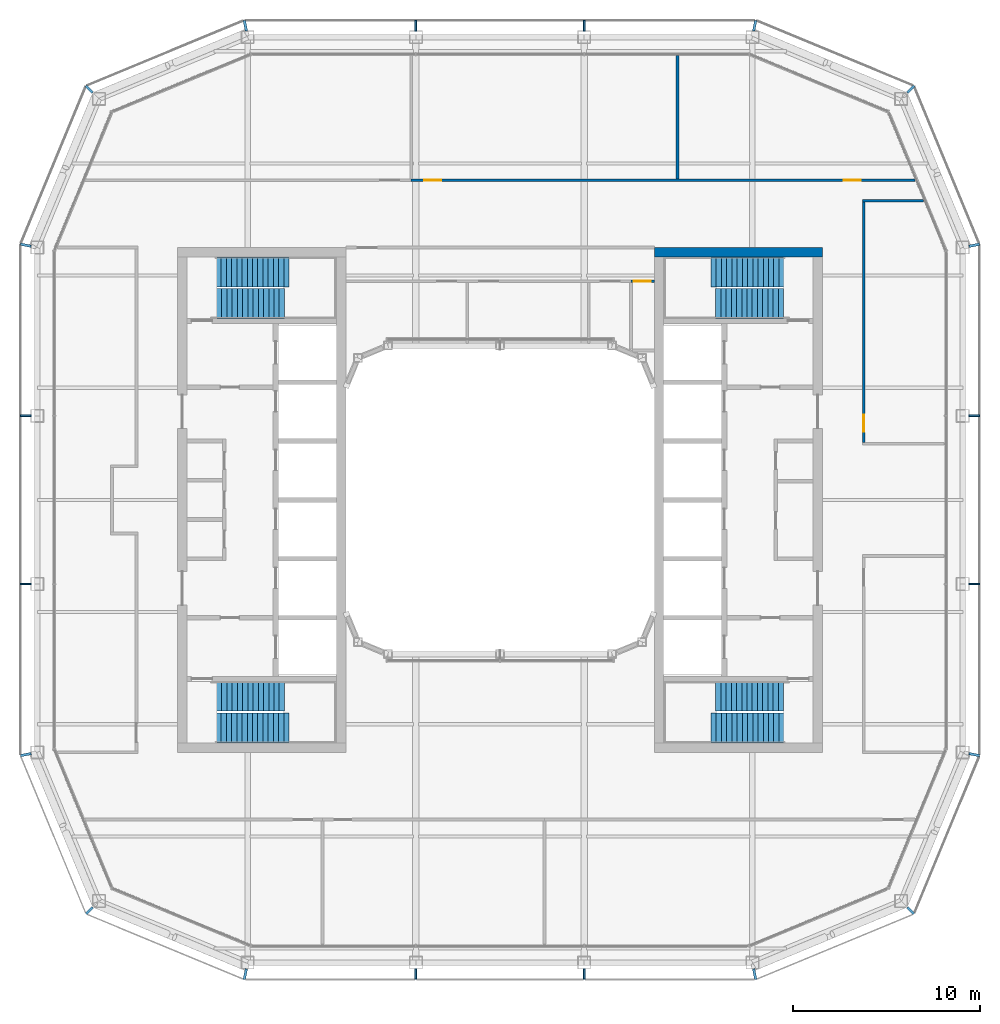
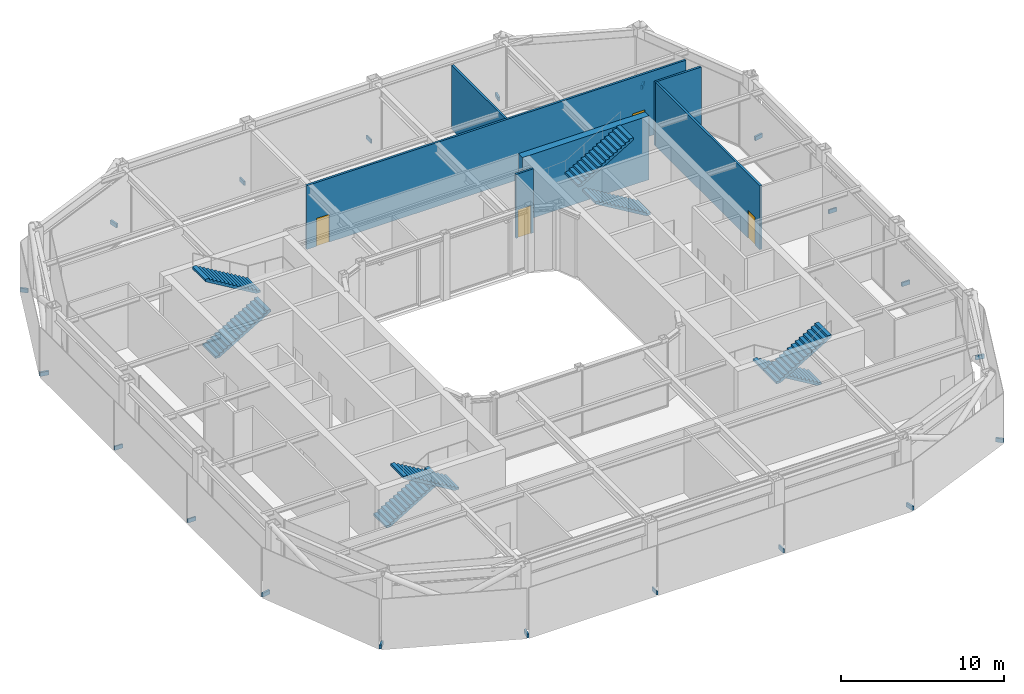
# One storey, part 13 of 17: 20 discrete accessories, 8 stair flights, 6 walls, 4 doors, 4 openings, 4 elements without a shape of their own.
"""IFC4 building model written with IfcOpenShell, lengths in metres."""

from ifc_helpers import new_model, si_unit, direction, frame, frame_2d, origin, origin_2d, place, context, subcontext, project, spatial, polyline, rectangle, outline, extrude, material, layer, layer_set, type_object, element, fill, aggregate, save


model = new_model("IFC4")

# Units and contexts
model_context = context("Model", 3, precision=1e-05, world=origin(), true_north=direction((0.0, 1.0)))
body_context = subcontext(model_context, "Body", "Model", "MODEL_VIEW")
ifc_project = project(units=[si_unit("LENGTHUNIT", "METRE"), si_unit("AREAUNIT", "SQUARE_METRE"), si_unit("VOLUMEUNIT", "CUBIC_METRE"), si_unit("PLANEANGLEUNIT", "RADIAN"), si_unit("MASSUNIT", "GRAM", prefix="KILO")], contexts=[model_context])

# Site, building, storey
site_placement = place(None, origin())
site = spatial("IfcSite", under=ifc_project, at=site_placement, CompositionType="ELEMENT")
building_placement = place(site_placement, origin())
building = spatial("IfcBuilding", under=site, at=building_placement, Name="Siwar Civic Tower", CompositionType="ELEMENT")
storey_placement = place(building_placement, frame((0.0, 0.0, 348.199951171875)))
storey = spatial("IfcBuildingStorey", under=building, at=storey_placement, Name="L75", CompositionType="ELEMENT", Elevation=348.199951171875)

# Wall, opening, door
ifc_material_1 = material(Name="Gypsum board on steel studs", Category="steel")
ifc_layer_1 = layer(ifc_material_1, 0.14990234375)
ifc_layer_set_1 = layer_set([ifc_layer_1], Name="Gypsum board on steel studs")
wall_type_1 = type_object("IfcWallType", Name="COMPARTMENT PARTITION 150 EI 60", PredefinedType="PARTITIONING", material=ifc_layer_set_1)
wall_1_placement = place(storey_placement, frame((7.0, 11.699951171875, 0.0), z_axis=(0.0, 0.0, 1.0), x_axis=(1.0, 0.0, 0.0)))
wall_1 = element("IfcWall", 1, at=wall_1_placement, inside=storey, type_object=wall_type_1, Name="L75/wall/P12", PredefinedType="PARTITIONING", context=body_context, shape_type="SweptSolid", body=[
    extrude(rectangle(XDim=1.25, YDim=0.14990234375, at=frame_2d((0.625, 0.0))), origin(), (0.0, 0.0, 1.0), 4.800048828125),
])
opening_1_placement = place(wall_1_placement, frame((0.14990234375, 0.0, 0.0)))
opening_1 = element("IfcOpeningElement", 2, at=opening_1_placement, cuts=wall_1, Name="Opening D4", PredefinedType="OPENING", context=body_context, shape_type="SweptSolid", body=[
    extrude(rectangle(XDim=0.89990234375, YDim=2.10009765625, at=frame_2d((0.449951171875, 1.050048828125))), frame((0.0, 0.0849609375, 0.0), z_axis=(0.0, -1.0, 0.0), x_axis=(1.0, 0.0, 0.0)), (0.0, 0.0, 1.0), 0.169921875),
])
ifc_material_2 = material(Name="Timber, painted", Category="wood")
door_type = type_object("IfcDoorType", Name="DOOR 900 X 2100 FD60", OperationType="SINGLE_SWING_LEFT", PredefinedType="DOOR", material=ifc_material_2)
door_1_placement = place(opening_1_placement, origin())
door_1 = element("IfcDoor", 3, at=door_1_placement, inside=storey, type_object=door_type, Name="L75-D11", OperationType="SINGLE_SWING_LEFT", OverallHeight=2.10009765625, OverallWidth=0.89990234375, PredefinedType="DOOR", context=body_context, shape_type="SweptSolid", body=[
    extrude(rectangle(XDim=0.89990234375, YDim=2.10009765625, at=frame_2d((0.449951171875, 1.050048828125))), frame((0.0, 0.02490234375, 0.0), z_axis=(0.0, -1.0, 0.0), x_axis=(1.0, 0.0, 0.0)), (0.0, 0.0, 1.0), 0.050048828125),
])
fill(opening_1, door_1)

# Wall
wall_2_placement = place(storey_placement, frame((19.375, 16.0, 0.0), z_axis=(0.0, 0.0, 1.0), x_axis=(1.0, 0.0, 0.0)))
element("IfcWall", 4, at=wall_2_placement, inside=storey, type_object=wall_type_1, Name="L75/wall/P15", PredefinedType="PARTITIONING", context=body_context, shape_type="SweptSolid", body=[
    extrude(rectangle(XDim=3.26806640625, YDim=0.14990234375, at=frame_2d((1.634033203125, 0.0))), origin(), (0.0, 0.0, 1.0), 4.800048828125),
])

# Wall, openings, doors
wall_3_placement = place(storey_placement, frame((-4.75, 17.10009765625, 0.0), z_axis=(0.0, 0.0, 1.0), x_axis=(1.0, 0.0, 0.0)))
wall_3 = element("IfcWall", 5, at=wall_3_placement, inside=storey, type_object=wall_type_1, Name="L75/wall/P17", PredefinedType="PARTITIONING", context=body_context, shape_type="SweptSolid", body=[
    extrude(rectangle(XDim=26.93701171875, YDim=0.14990234375, at=frame_2d((13.468505859375, 0.0))), origin(), (0.0, 0.0, 1.0), 4.800048828125),
])
opening_2_placement = place(wall_3_placement, frame((0.699951171875, 0.0, 0.0)))
opening_2 = element("IfcOpeningElement", 6, at=opening_2_placement, cuts=wall_3, Name="Opening D4", PredefinedType="OPENING", context=body_context, shape_type="SweptSolid", body=[
    extrude(rectangle(XDim=0.89990234375, YDim=2.10009765625, at=frame_2d((0.449951171875, 1.050048828125))), frame((0.0, 0.0849609375, 0.0), z_axis=(0.0, -1.0, 0.0), x_axis=(1.0, 0.0, 0.0)), (0.0, 0.0, 1.0), 0.169921875),
])
opening_3_placement = place(wall_3_placement, frame((23.136962890625, 0.0, 0.0)))
opening_3 = element("IfcOpeningElement", 7, at=opening_3_placement, cuts=wall_3, Name="Opening D4", PredefinedType="OPENING", context=body_context, shape_type="SweptSolid", body=[
    extrude(rectangle(XDim=0.89990234375, YDim=2.10009765625, at=frame_2d((0.449951171875, 1.050048828125))), frame((0.0, 0.0849609375, 0.0), z_axis=(0.0, -1.0, 0.0), x_axis=(1.0, 0.0, 0.0)), (0.0, 0.0, 1.0), 0.169921875),
])
door_2_placement = place(opening_2_placement, origin())
door_2 = element("IfcDoor", 8, at=door_2_placement, inside=storey, type_object=door_type, Name="L75-D02", OperationType="SINGLE_SWING_RIGHT", OverallHeight=2.10009765625, OverallWidth=0.89990234375, PredefinedType="DOOR", context=body_context, shape_type="SweptSolid", body=[
    extrude(rectangle(XDim=0.89990234375, YDim=2.10009765625, at=frame_2d((0.449951171875, 1.050048828125))), frame((0.0, 0.02490234375, 0.0), z_axis=(0.0, -1.0, 0.0), x_axis=(1.0, 0.0, 0.0)), (0.0, 0.0, 1.0), 0.050048828125),
])
fill(opening_2, door_2)
door_3_placement = place(opening_3_placement, origin())
door_3 = element("IfcDoor", 9, at=door_3_placement, inside=storey, type_object=door_type, Name="L75-D03", OperationType="SINGLE_SWING_LEFT", OverallHeight=2.10009765625, OverallWidth=0.89990234375, PredefinedType="DOOR", context=body_context, shape_type="SweptSolid", body=[
    extrude(rectangle(XDim=0.89990234375, YDim=2.10009765625, at=frame_2d((0.449951171875, 1.050048828125))), frame((0.0, 0.02490234375, 0.0), z_axis=(0.0, -1.0, 0.0), x_axis=(1.0, 0.0, 0.0)), (0.0, 0.0, 1.0), 0.050048828125),
])
fill(opening_3, door_3)

# Wall
wall_4_placement = place(storey_placement, frame((9.5, 17.175048828125, 0.0), z_axis=(0.0, 0.0, 1.0), x_axis=(0.0, 1.0, 0.0)))
element("IfcWall", 10, at=wall_4_placement, inside=storey, type_object=wall_type_1, Name="L75/wall/P27", PredefinedType="PARTITIONING", context=body_context, shape_type="SweptSolid", body=[
    extrude(rectangle(XDim=6.5849609375, YDim=0.14990234375, at=frame_2d((3.29248046875, 0.0))), origin(), (0.0, 0.0, 1.0), 4.800048828125),
])

# Wall, opening, door
wall_5_placement = place(storey_placement, frame((19.449951171875, 3.074951171875, 0.0), z_axis=(0.0, 0.0, 1.0), x_axis=(0.0, 1.0, 0.0)))
wall_5 = element("IfcWall", 11, at=wall_5_placement, inside=storey, type_object=wall_type_1, Name="L75/wall/P29", PredefinedType="PARTITIONING", context=body_context, shape_type="SweptSolid", body=[
    extrude(rectangle(XDim=12.85009765625, YDim=0.14990234375, at=frame_2d((6.425048828125, 0.0))), origin(), (0.0, 0.0, 1.0), 4.800048828125),
])
opening_4_placement = place(wall_5_placement, frame((0.574951171875, 0.0, 0.0)))
opening_4 = element("IfcOpeningElement", 12, at=opening_4_placement, cuts=wall_5, Name="Opening D4", PredefinedType="OPENING", context=body_context, shape_type="SweptSolid", body=[
    extrude(rectangle(XDim=0.89990234375, YDim=2.10009765625, at=frame_2d((0.449951171875, 1.050048828125))), frame((0.0, 0.0849609375, 0.0), z_axis=(0.0, -1.0, 0.0), x_axis=(1.0, 0.0, 0.0)), (0.0, 0.0, 1.0), 0.169921875),
])
door_4_placement = place(opening_4_placement, origin())
door_4 = element("IfcDoor", 13, at=door_4_placement, inside=storey, type_object=door_type, Name="L75-D13", OperationType="SINGLE_SWING_LEFT", OverallHeight=2.10009765625, OverallWidth=0.89990234375, PredefinedType="DOOR", context=body_context, shape_type="SweptSolid", body=[
    extrude(rectangle(XDim=0.89990234375, YDim=2.10009765625, at=frame_2d((0.449951171875, 1.050048828125))), frame((0.0, 0.02490234375, 0.0), z_axis=(0.0, -1.0, 0.0), x_axis=(1.0, 0.0, 0.0)), (0.0, 0.0, 1.0), 0.050048828125),
])
fill(opening_4, door_4)

# Wall
ifc_material_3 = material(Name="Concrete C60/75", Category="concrete")
ifc_layer_2 = layer(ifc_material_3, 0.5)
ifc_layer_set_2 = layer_set([ifc_layer_2], Name="Concrete C60/75")
wall_type_2 = type_object("IfcWallType", Name="CORE-WALL-RC500", PredefinedType="SHEAR", material=ifc_layer_set_2)
wall_6_placement = place(storey_placement, frame((8.25, 13.25, 0.0), z_axis=(0.0, 0.0, 1.0), x_axis=(1.0, 0.0, 0.0)))
element("IfcWall", 14, at=wall_6_placement, inside=storey, type_object=wall_type_2, Name="Core wall E", PredefinedType="SHEAR", context=body_context, shape_type="SweptSolid", body=[
    extrude(rectangle(XDim=9.0, YDim=0.5, at=frame_2d((4.5, 0.0))), origin(), (0.0, 0.0, 1.0), 4.800048828125),
])

# Stair, stair flights
ifc_material_4 = material(Name="Concrete C40/50", Category="concrete")
stair_type = type_object("IfcStairType", Name="CORE-STAIR", PredefinedType="TWO_STRAIGHT_RUN_STAIR", material=ifc_material_4)
stair_1_placement = place(storey_placement, origin())
stair_1 = element("IfcStair", 15, at=stair_1_placement, inside=storey, type_object=stair_type, Name="Exit stair ST1", PredefinedType="TWO_STRAIGHT_RUN_STAIR")
ifc_material_5 = material(Name="Concrete C40/50", Category="concrete")
stair_flight_type = type_object("IfcStairFlightType", Name="CORE-STAIR-FLIGHT", PredefinedType="STRAIGHT", material=ifc_material_5)
stair_flight_1_placement = place(storey_placement, frame((-15.449951171875, 10.5, 0.0), z_axis=(0.0, 0.0, 1.0), x_axis=(1.0, 0.0, 0.0)))
stair_flight_1 = element("IfcStairFlight", 16, at=stair_flight_1_placement, type_object=stair_flight_type, Name="ST1 flight 1", NumberOfRisers=15, NumberOfTreads=14, PredefinedType="STRAIGHT", RiserHeight=0.166666667, TreadLength=0.28, context=body_context, shape_type="SweptSolid", body=[
    extrude(outline(polyline([(0.0, 0.0), (0.0, 0.166748046875), (0.280029296875, 0.166748046875), (0.280029296875, 0.333251953125), (0.56005859375, 0.333251953125), (0.56005859375, 0.5), (0.840087890625, 0.5), (0.840087890625, 0.666748046875), (1.1201171875, 0.666748046875), (1.1201171875, 0.833251953125), (1.39990234375, 0.833251953125), (1.39990234375, 1.0), (1.679931640625, 1.0), (1.679931640625, 1.166748046875), (1.9599609375, 1.166748046875), (1.9599609375, 1.333251953125), (2.239990234375, 1.333251953125), (2.239990234375, 1.5), (2.52001953125, 1.5), (2.52001953125, 1.666748046875), (2.800048828125, 1.666748046875), (2.800048828125, 1.833251953125), (3.080078125, 1.833251953125), (3.080078125, 2.0), (3.360107421875, 2.0), (3.360107421875, 2.166748046875), (3.639892578125, 2.166748046875), (3.639892578125, 2.333251953125), (3.919921875, 2.333251953125), (3.919921875, 2.5), (3.919921875, 2.158935546875), (0.29296875, 0.0), (0.0, 0.0)])), frame((0.0, 0.800048828125, 0.0), z_axis=(0.0, -1.0, 0.0), x_axis=(1.0, 0.0, 0.0)), (0.0, 0.0, 1.0), 1.60009765625),
])
stair_flight_2_placement = place(storey_placement, frame((-11.280029296875, 12.199951171875, 2.5), z_axis=(0.0, 0.0, 1.0), x_axis=(-1.0, 0.0, 0.0)))
stair_flight_2 = element("IfcStairFlight", 17, at=stair_flight_2_placement, type_object=stair_flight_type, Name="ST1 flight 2", NumberOfRisers=15, NumberOfTreads=14, PredefinedType="STRAIGHT", RiserHeight=0.166666667, TreadLength=0.28, context=body_context, shape_type="SweptSolid", body=[
    extrude(outline(polyline([(0.0, 0.0), (0.0, 0.166748046875), (0.280029296875, 0.166748046875), (0.280029296875, 0.333251953125), (0.56005859375, 0.333251953125), (0.56005859375, 0.5), (0.840087890625, 0.5), (0.840087890625, 0.666748046875), (1.1201171875, 0.666748046875), (1.1201171875, 0.833251953125), (1.39990234375, 0.833251953125), (1.39990234375, 1.0), (1.679931640625, 1.0), (1.679931640625, 1.166748046875), (1.9599609375, 1.166748046875), (1.9599609375, 1.333251953125), (2.239990234375, 1.333251953125), (2.239990234375, 1.5), (2.52001953125, 1.5), (2.52001953125, 1.666748046875), (2.800048828125, 1.666748046875), (2.800048828125, 1.833251953125), (3.080078125, 1.833251953125), (3.080078125, 2.0), (3.360107421875, 2.0), (3.360107421875, 2.166748046875), (3.639892578125, 2.166748046875), (3.639892578125, 2.333251953125), (3.919921875, 2.333251953125), (3.919921875, 2.5), (3.919921875, 2.158935546875), (0.29296875, 0.0), (0.0, 0.0)])), frame((0.0, 0.800048828125, 0.0), z_axis=(0.0, -1.0, 0.0), x_axis=(1.0, 0.0, 0.0)), (0.0, 0.0, 1.0), 1.60009765625),
])
aggregate(stair_1, [stair_flight_1, stair_flight_2])

stair_2_placement = place(storey_placement, origin())
stair_2 = element("IfcStair", 18, at=stair_2_placement, inside=storey, type_object=stair_type, Name="Exit stair ST2", PredefinedType="TWO_STRAIGHT_RUN_STAIR")
stair_flight_3_placement = place(storey_placement, frame((-15.449951171875, -10.5, 0.0), z_axis=(0.0, 0.0, 1.0), x_axis=(1.0, 0.0, 0.0)))
stair_flight_3 = element("IfcStairFlight", 19, at=stair_flight_3_placement, type_object=stair_flight_type, Name="ST2 flight 1", NumberOfRisers=15, NumberOfTreads=14, PredefinedType="STRAIGHT", RiserHeight=0.166666667, TreadLength=0.28, context=body_context, shape_type="SweptSolid", body=[
    extrude(outline(polyline([(0.0, 0.0), (0.0, 0.166748046875), (0.280029296875, 0.166748046875), (0.280029296875, 0.333251953125), (0.56005859375, 0.333251953125), (0.56005859375, 0.5), (0.840087890625, 0.5), (0.840087890625, 0.666748046875), (1.1201171875, 0.666748046875), (1.1201171875, 0.833251953125), (1.39990234375, 0.833251953125), (1.39990234375, 1.0), (1.679931640625, 1.0), (1.679931640625, 1.166748046875), (1.9599609375, 1.166748046875), (1.9599609375, 1.333251953125), (2.239990234375, 1.333251953125), (2.239990234375, 1.5), (2.52001953125, 1.5), (2.52001953125, 1.666748046875), (2.800048828125, 1.666748046875), (2.800048828125, 1.833251953125), (3.080078125, 1.833251953125), (3.080078125, 2.0), (3.360107421875, 2.0), (3.360107421875, 2.166748046875), (3.639892578125, 2.166748046875), (3.639892578125, 2.333251953125), (3.919921875, 2.333251953125), (3.919921875, 2.5), (3.919921875, 2.158935546875), (0.29296875, 0.0), (0.0, 0.0)])), frame((0.0, 0.800048828125, 0.0), z_axis=(0.0, -1.0, 0.0), x_axis=(1.0, 0.0, 0.0)), (0.0, 0.0, 1.0), 1.60009765625),
])
stair_flight_4_placement = place(storey_placement, frame((-11.280029296875, -12.199951171875, 2.5), z_axis=(0.0, 0.0, 1.0), x_axis=(-1.0, 0.0, 0.0)))
stair_flight_4 = element("IfcStairFlight", 20, at=stair_flight_4_placement, type_object=stair_flight_type, Name="ST2 flight 2", NumberOfRisers=15, NumberOfTreads=14, PredefinedType="STRAIGHT", RiserHeight=0.166666667, TreadLength=0.28, context=body_context, shape_type="SweptSolid", body=[
    extrude(outline(polyline([(0.0, 0.0), (0.0, 0.166748046875), (0.280029296875, 0.166748046875), (0.280029296875, 0.333251953125), (0.56005859375, 0.333251953125), (0.56005859375, 0.5), (0.840087890625, 0.5), (0.840087890625, 0.666748046875), (1.1201171875, 0.666748046875), (1.1201171875, 0.833251953125), (1.39990234375, 0.833251953125), (1.39990234375, 1.0), (1.679931640625, 1.0), (1.679931640625, 1.166748046875), (1.9599609375, 1.166748046875), (1.9599609375, 1.333251953125), (2.239990234375, 1.333251953125), (2.239990234375, 1.5), (2.52001953125, 1.5), (2.52001953125, 1.666748046875), (2.800048828125, 1.666748046875), (2.800048828125, 1.833251953125), (3.080078125, 1.833251953125), (3.080078125, 2.0), (3.360107421875, 2.0), (3.360107421875, 2.166748046875), (3.639892578125, 2.166748046875), (3.639892578125, 2.333251953125), (3.919921875, 2.333251953125), (3.919921875, 2.5), (3.919921875, 2.158935546875), (0.29296875, 0.0), (0.0, 0.0)])), frame((0.0, 0.800048828125, 0.0), z_axis=(0.0, -1.0, 0.0), x_axis=(1.0, 0.0, 0.0)), (0.0, 0.0, 1.0), 1.60009765625),
])
aggregate(stair_2, [stair_flight_3, stair_flight_4])

stair_3_placement = place(storey_placement, origin())
stair_3 = element("IfcStair", 21, at=stair_3_placement, inside=storey, type_object=stair_type, Name="Exit stair ST3", PredefinedType="TWO_STRAIGHT_RUN_STAIR")
stair_flight_5_placement = place(storey_placement, frame((15.449951171875, 10.5, 0.0), z_axis=(0.0, 0.0, 1.0), x_axis=(-1.0, 0.0, 0.0)))
stair_flight_5 = element("IfcStairFlight", 22, at=stair_flight_5_placement, type_object=stair_flight_type, Name="ST3 flight 1", NumberOfRisers=15, NumberOfTreads=14, PredefinedType="STRAIGHT", RiserHeight=0.166666667, TreadLength=0.28, context=body_context, shape_type="SweptSolid", body=[
    extrude(outline(polyline([(0.0, 0.0), (0.0, 0.166748046875), (0.280029296875, 0.166748046875), (0.280029296875, 0.333251953125), (0.56005859375, 0.333251953125), (0.56005859375, 0.5), (0.840087890625, 0.5), (0.840087890625, 0.666748046875), (1.1201171875, 0.666748046875), (1.1201171875, 0.833251953125), (1.39990234375, 0.833251953125), (1.39990234375, 1.0), (1.679931640625, 1.0), (1.679931640625, 1.166748046875), (1.9599609375, 1.166748046875), (1.9599609375, 1.333251953125), (2.239990234375, 1.333251953125), (2.239990234375, 1.5), (2.52001953125, 1.5), (2.52001953125, 1.666748046875), (2.800048828125, 1.666748046875), (2.800048828125, 1.833251953125), (3.080078125, 1.833251953125), (3.080078125, 2.0), (3.360107421875, 2.0), (3.360107421875, 2.166748046875), (3.639892578125, 2.166748046875), (3.639892578125, 2.333251953125), (3.919921875, 2.333251953125), (3.919921875, 2.5), (3.919921875, 2.158935546875), (0.29296875, 0.0), (0.0, 0.0)])), frame((0.0, 0.800048828125, 0.0), z_axis=(0.0, -1.0, 0.0), x_axis=(1.0, 0.0, 0.0)), (0.0, 0.0, 1.0), 1.60009765625),
])
stair_flight_6_placement = place(storey_placement, frame((11.280029296875, 12.199951171875, 2.5), z_axis=(0.0, 0.0, 1.0), x_axis=(1.0, 0.0, 0.0)))
stair_flight_6 = element("IfcStairFlight", 23, at=stair_flight_6_placement, type_object=stair_flight_type, Name="ST3 flight 2", NumberOfRisers=15, NumberOfTreads=14, PredefinedType="STRAIGHT", RiserHeight=0.166666667, TreadLength=0.28, context=body_context, shape_type="SweptSolid", body=[
    extrude(outline(polyline([(0.0, 0.0), (0.0, 0.166748046875), (0.280029296875, 0.166748046875), (0.280029296875, 0.333251953125), (0.56005859375, 0.333251953125), (0.56005859375, 0.5), (0.840087890625, 0.5), (0.840087890625, 0.666748046875), (1.1201171875, 0.666748046875), (1.1201171875, 0.833251953125), (1.39990234375, 0.833251953125), (1.39990234375, 1.0), (1.679931640625, 1.0), (1.679931640625, 1.166748046875), (1.9599609375, 1.166748046875), (1.9599609375, 1.333251953125), (2.239990234375, 1.333251953125), (2.239990234375, 1.5), (2.52001953125, 1.5), (2.52001953125, 1.666748046875), (2.800048828125, 1.666748046875), (2.800048828125, 1.833251953125), (3.080078125, 1.833251953125), (3.080078125, 2.0), (3.360107421875, 2.0), (3.360107421875, 2.166748046875), (3.639892578125, 2.166748046875), (3.639892578125, 2.333251953125), (3.919921875, 2.333251953125), (3.919921875, 2.5), (3.919921875, 2.158935546875), (0.29296875, 0.0), (0.0, 0.0)])), frame((0.0, 0.800048828125, 0.0), z_axis=(0.0, -1.0, 0.0), x_axis=(1.0, 0.0, 0.0)), (0.0, 0.0, 1.0), 1.60009765625),
])
aggregate(stair_3, [stair_flight_5, stair_flight_6])

stair_4_placement = place(storey_placement, origin())
stair_4 = element("IfcStair", 24, at=stair_4_placement, inside=storey, type_object=stair_type, Name="Exit stair ST4", PredefinedType="TWO_STRAIGHT_RUN_STAIR")
stair_flight_7_placement = place(storey_placement, frame((15.449951171875, -10.5, 0.0), z_axis=(0.0, 0.0, 1.0), x_axis=(-1.0, 0.0, 0.0)))
stair_flight_7 = element("IfcStairFlight", 25, at=stair_flight_7_placement, type_object=stair_flight_type, Name="ST4 flight 1", NumberOfRisers=15, NumberOfTreads=14, PredefinedType="STRAIGHT", RiserHeight=0.166666667, TreadLength=0.28, context=body_context, shape_type="SweptSolid", body=[
    extrude(outline(polyline([(0.0, 0.0), (0.0, 0.166748046875), (0.280029296875, 0.166748046875), (0.280029296875, 0.333251953125), (0.56005859375, 0.333251953125), (0.56005859375, 0.5), (0.840087890625, 0.5), (0.840087890625, 0.666748046875), (1.1201171875, 0.666748046875), (1.1201171875, 0.833251953125), (1.39990234375, 0.833251953125), (1.39990234375, 1.0), (1.679931640625, 1.0), (1.679931640625, 1.166748046875), (1.9599609375, 1.166748046875), (1.9599609375, 1.333251953125), (2.239990234375, 1.333251953125), (2.239990234375, 1.5), (2.52001953125, 1.5), (2.52001953125, 1.666748046875), (2.800048828125, 1.666748046875), (2.800048828125, 1.833251953125), (3.080078125, 1.833251953125), (3.080078125, 2.0), (3.360107421875, 2.0), (3.360107421875, 2.166748046875), (3.639892578125, 2.166748046875), (3.639892578125, 2.333251953125), (3.919921875, 2.333251953125), (3.919921875, 2.5), (3.919921875, 2.158935546875), (0.29296875, 0.0), (0.0, 0.0)])), frame((0.0, 0.800048828125, 0.0), z_axis=(0.0, -1.0, 0.0), x_axis=(1.0, 0.0, 0.0)), (0.0, 0.0, 1.0), 1.60009765625),
])
stair_flight_8_placement = place(storey_placement, frame((11.280029296875, -12.199951171875, 2.5), z_axis=(0.0, 0.0, 1.0), x_axis=(1.0, 0.0, 0.0)))
stair_flight_8 = element("IfcStairFlight", 26, at=stair_flight_8_placement, type_object=stair_flight_type, Name="ST4 flight 2", NumberOfRisers=15, NumberOfTreads=14, PredefinedType="STRAIGHT", RiserHeight=0.166666667, TreadLength=0.28, context=body_context, shape_type="SweptSolid", body=[
    extrude(outline(polyline([(0.0, 0.0), (0.0, 0.166748046875), (0.280029296875, 0.166748046875), (0.280029296875, 0.333251953125), (0.56005859375, 0.333251953125), (0.56005859375, 0.5), (0.840087890625, 0.5), (0.840087890625, 0.666748046875), (1.1201171875, 0.666748046875), (1.1201171875, 0.833251953125), (1.39990234375, 0.833251953125), (1.39990234375, 1.0), (1.679931640625, 1.0), (1.679931640625, 1.166748046875), (1.9599609375, 1.166748046875), (1.9599609375, 1.333251953125), (2.239990234375, 1.333251953125), (2.239990234375, 1.5), (2.52001953125, 1.5), (2.52001953125, 1.666748046875), (2.800048828125, 1.666748046875), (2.800048828125, 1.833251953125), (3.080078125, 1.833251953125), (3.080078125, 2.0), (3.360107421875, 2.0), (3.360107421875, 2.166748046875), (3.639892578125, 2.166748046875), (3.639892578125, 2.333251953125), (3.919921875, 2.333251953125), (3.919921875, 2.5), (3.919921875, 2.158935546875), (0.29296875, 0.0), (0.0, 0.0)])), frame((0.0, 0.800048828125, 0.0), z_axis=(0.0, -1.0, 0.0), x_axis=(1.0, 0.0, 0.0)), (0.0, 0.0, 1.0), 1.60009765625),
])
aggregate(stair_4, [stair_flight_7, stair_flight_8])

# Discrete accessories
ifc_material_6 = material(Name="Stainless steel 316", Category="steel")
discrete_accessory_type = type_object("IfcDiscreteAccessoryType", Name="ENV-BRACKET", PredefinedType="BRACKET", material=ifc_material_6)
for number, where, z_axis, x_axis, name in (
    (27, (25.364990234375, -4.5, -0.14990234375), (0.0, 0.0, 1.0), (1.0, 0.0, 0.0), "Bracket outer skin joint E-01"),
    (28, (25.364990234375, 4.5, -0.14990234375), (0.0, 0.0, 1.0), (1.0, 0.0, 0.0), "Bracket outer skin joint E-02"),
    (29, (4.5, 25.364990234375, -0.14990234375), (0.0, 0.0, 1.0), (0.0, 1.0, 0.0), "Bracket outer skin joint N-01"),
    (30, (-4.5, 25.364990234375, -0.14990234375), (0.0, 0.0, 1.0), (0.0, 1.0, 0.0), "Bracket outer skin joint N-02"),
    (31, (-4.5, -25.364990234375, -0.14990234375), (0.0, 0.0, 1.0), (0.0, -1.0, 0.0), "Bracket outer skin joint S-01"),
    (32, (4.5, -25.364990234375, -0.14990234375), (0.0, 0.0, 1.0), (0.0, -1.0, 0.0), "Bracket outer skin joint S-02"),
):
    element("IfcDiscreteAccessory", number, at=place(storey_placement, frame(where, z_axis=z_axis, x_axis=x_axis)), inside=storey, type_object=discrete_accessory_type, Name=name, PredefinedType="BRACKET", context=body_context, shape_type="SweptSolid", body=[
        extrude(rectangle(XDim=0.570068359375, YDim=0.10009765625, at=origin_2d()), origin(), (0.0, 0.0, 1.0), 0.300048828125),
    ])
for number, where, z_axis, x_axis, name in (
    (33, (-13.622314453125, -25.365234375, -0.14990234375), (0.0, 0.0, 1.0), (-0.195090322016, -0.980785280403, 0.0), "Bracket outer skin joint V00"),
    (34, (13.622314453125, -25.365234375, -0.14990234375), (0.0, 0.0, 1.0), (0.195090322016, -0.980785280403, 0.0), "Bracket outer skin joint V01"),
):
    element("IfcDiscreteAccessory", number, at=place(storey_placement, frame(where, z_axis=z_axis, x_axis=x_axis)), inside=storey, type_object=discrete_accessory_type, Name=name, PredefinedType="BRACKET", context=body_context, shape_type="SweptSolid", body=[
        extrude(rectangle(XDim=0.580810546875, YDim=0.13720703125, at=origin_2d()), origin(), (0.0, 0.0, 1.0), 0.300048828125),
    ])
discrete_accessory_1_placement = place(storey_placement, frame((21.96728515625, -21.96728515625, -0.14990234375), z_axis=(0.0, 0.0, 1.0), x_axis=(0.707106781187, -0.707106781187, 0.0)))
element("IfcDiscreteAccessory", 35, at=discrete_accessory_1_placement, inside=storey, type_object=discrete_accessory_type, Name="Bracket outer skin joint V02", PredefinedType="BRACKET", context=body_context, shape_type="SweptSolid", body=[
    extrude(rectangle(XDim=0.499267578125, YDim=0.12939453125, at=origin_2d()), origin(), (0.0, 0.0, 1.0), 0.300048828125),
])
for number, where, z_axis, x_axis, name in (
    (36, (25.365234375, -13.622314453125, -0.14990234375), (0.0, 0.0, 1.0), (0.980785280403, -0.195090322016, 0.0), "Bracket outer skin joint V03"),
    (37, (25.365234375, 13.622314453125, -0.14990234375), (0.0, 0.0, 1.0), (0.980785280403, 0.195090322016, 0.0), "Bracket outer skin joint V04"),
):
    element("IfcDiscreteAccessory", number, at=place(storey_placement, frame(where, z_axis=z_axis, x_axis=x_axis)), inside=storey, type_object=discrete_accessory_type, Name=name, PredefinedType="BRACKET", context=body_context, shape_type="SweptSolid", body=[
        extrude(rectangle(XDim=0.580810546875, YDim=0.13720703125, at=origin_2d()), origin(), (0.0, 0.0, 1.0), 0.300048828125),
    ])
discrete_accessory_2_placement = place(storey_placement, frame((21.96728515625, 21.96728515625, -0.14990234375), z_axis=(0.0, 0.0, 1.0), x_axis=(0.707106781187, 0.707106781187, 0.0)))
element("IfcDiscreteAccessory", 38, at=discrete_accessory_2_placement, inside=storey, type_object=discrete_accessory_type, Name="Bracket outer skin joint V05", PredefinedType="BRACKET", context=body_context, shape_type="SweptSolid", body=[
    extrude(rectangle(XDim=0.499267578125, YDim=0.12939453125, at=origin_2d()), origin(), (0.0, 0.0, 1.0), 0.300048828125),
])
for number, where, z_axis, x_axis, name in (
    (39, (13.622314453125, 25.365234375, -0.14990234375), (0.0, 0.0, 1.0), (0.195090322016, 0.980785280403, 0.0), "Bracket outer skin joint V06"),
    (40, (-13.622314453125, 25.365234375, -0.14990234375), (0.0, 0.0, 1.0), (-0.195090322016, 0.980785280403, 0.0), "Bracket outer skin joint V07"),
):
    element("IfcDiscreteAccessory", number, at=place(storey_placement, frame(where, z_axis=z_axis, x_axis=x_axis)), inside=storey, type_object=discrete_accessory_type, Name=name, PredefinedType="BRACKET", context=body_context, shape_type="SweptSolid", body=[
        extrude(rectangle(XDim=0.580810546875, YDim=0.13720703125, at=origin_2d()), origin(), (0.0, 0.0, 1.0), 0.300048828125),
    ])
discrete_accessory_3_placement = place(storey_placement, frame((-21.96728515625, 21.96728515625, -0.14990234375), z_axis=(0.0, 0.0, 1.0), x_axis=(-0.707106781187, 0.707106781187, 0.0)))
element("IfcDiscreteAccessory", 41, at=discrete_accessory_3_placement, inside=storey, type_object=discrete_accessory_type, Name="Bracket outer skin joint V08", PredefinedType="BRACKET", context=body_context, shape_type="SweptSolid", body=[
    extrude(rectangle(XDim=0.499267578125, YDim=0.12939453125, at=origin_2d()), origin(), (0.0, 0.0, 1.0), 0.300048828125),
])
for number, where, z_axis, x_axis, name in (
    (42, (-25.365234375, 13.622314453125, -0.14990234375), (0.0, 0.0, 1.0), (-0.980785280403, 0.195090322016, 0.0), "Bracket outer skin joint V09"),
    (43, (-25.365234375, -13.622314453125, -0.14990234375), (0.0, 0.0, 1.0), (-0.980785280403, -0.195090322016, 0.0), "Bracket outer skin joint V10"),
):
    element("IfcDiscreteAccessory", number, at=place(storey_placement, frame(where, z_axis=z_axis, x_axis=x_axis)), inside=storey, type_object=discrete_accessory_type, Name=name, PredefinedType="BRACKET", context=body_context, shape_type="SweptSolid", body=[
        extrude(rectangle(XDim=0.580810546875, YDim=0.13720703125, at=origin_2d()), origin(), (0.0, 0.0, 1.0), 0.300048828125),
    ])
discrete_accessory_4_placement = place(storey_placement, frame((-21.96728515625, -21.96728515625, -0.14990234375), z_axis=(0.0, 0.0, 1.0), x_axis=(-0.707106781187, -0.707106781187, 0.0)))
element("IfcDiscreteAccessory", 44, at=discrete_accessory_4_placement, inside=storey, type_object=discrete_accessory_type, Name="Bracket outer skin joint V11", PredefinedType="BRACKET", context=body_context, shape_type="SweptSolid", body=[
    extrude(rectangle(XDim=0.499267578125, YDim=0.12939453125, at=origin_2d()), origin(), (0.0, 0.0, 1.0), 0.300048828125),
])
for number, where, z_axis, x_axis, name in (
    (45, (-25.364990234375, 4.5, -0.14990234375), (0.0, 0.0, 1.0), (-1.0, 0.0, 0.0), "Bracket outer skin joint W-01"),
    (46, (-25.364990234375, -4.5, -0.14990234375), (0.0, 0.0, 1.0), (-1.0, 0.0, 0.0), "Bracket outer skin joint W-02"),
):
    element("IfcDiscreteAccessory", number, at=place(storey_placement, frame(where, z_axis=z_axis, x_axis=x_axis)), inside=storey, type_object=discrete_accessory_type, Name=name, PredefinedType="BRACKET", context=body_context, shape_type="SweptSolid", body=[
        extrude(rectangle(XDim=0.570068359375, YDim=0.10009765625, at=origin_2d()), origin(), (0.0, 0.0, 1.0), 0.300048828125),
    ])

save(model, "model.ifc")
